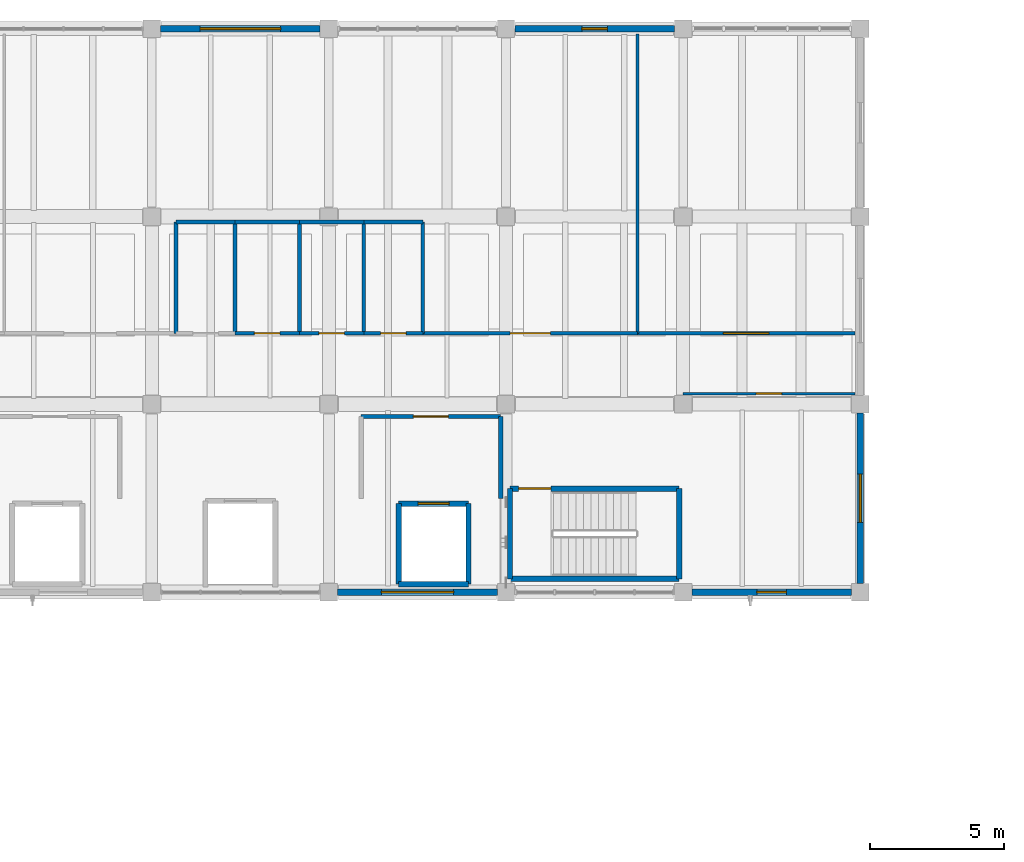
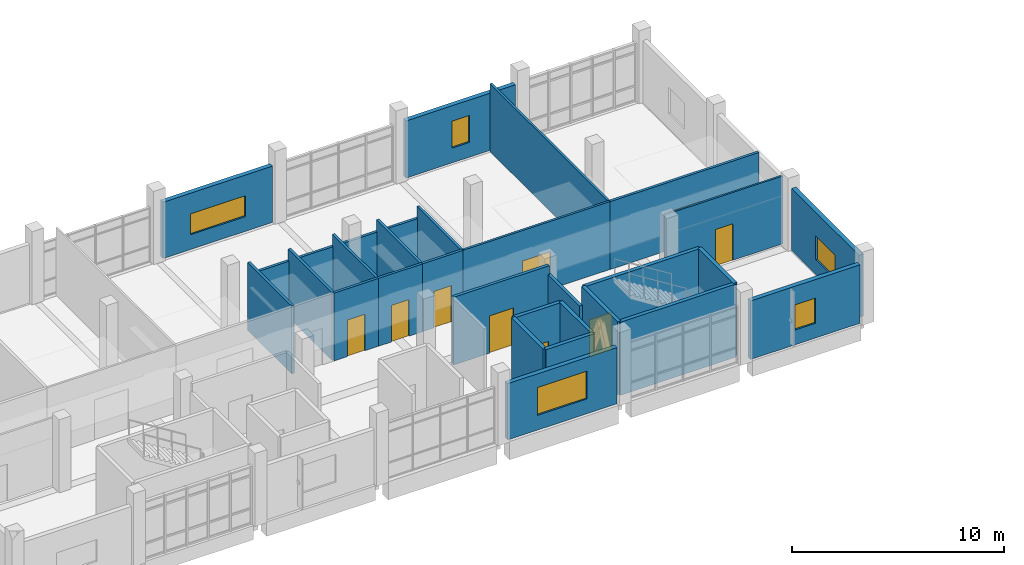
# One storey, part 12 of 16: 31 walls, 9 doors, 5 windows, 14 openings.
"""IFC4 building model written with IfcOpenShell, lengths in metres."""

from ifc_helpers import new_model, si_unit, direction, frame, frame_2d, origin, place, context, subcontext, project, spatial, rectangle, extrude, material, layer, layer_set, type_object, element, fill, save


model = new_model("IFC4")

# Units and contexts
model_context = context("Model", 3, precision=1e-05, world=origin(), true_north=direction((0.0, 1.0)))
body_context = subcontext(model_context, "Body", "Model", "MODEL_VIEW")
ifc_project = project(units=[si_unit("LENGTHUNIT", "METRE"), si_unit("AREAUNIT", "SQUARE_METRE"), si_unit("VOLUMEUNIT", "CUBIC_METRE"), si_unit("PLANEANGLEUNIT", "RADIAN"), si_unit("MASSUNIT", "GRAM", prefix="KILO")], contexts=[model_context])

# Site, building, storey
site_placement = place(None, origin())
site = spatial("IfcSite", under=ifc_project, at=site_placement, CompositionType="ELEMENT")
building_placement = place(site_placement, origin())
building = spatial("IfcBuilding", under=site, at=building_placement, Name="Ciguamira Faculty of Natural Sciences", CompositionType="ELEMENT")
storey_placement = place(building_placement, frame((0.0, 0.0, 25.199951171875)))
storey = spatial("IfcBuildingStorey", under=building, at=storey_placement, Name="L06", CompositionType="ELEMENT", Elevation=25.199951171875)

# Wall, opening, window
ifc_material_1 = material(Name="Precast concrete C40/50", Category="concrete")
ifc_layer_1 = layer(ifc_material_1, 0.239990234375, Name="Precast concrete C40/50")
ifc_layer_set_1 = layer_set([ifc_layer_1], Name="Precast concrete C40/50")
wall_type_1 = type_object("IfcWallType", Name="ExtWall_EW-02_240", PredefinedType="SOLIDWALL", material=ifc_layer_set_1)
wall_1_placement = place(storey_placement, frame((90.625, 94.0, 0.0), z_axis=(0.0, 0.0, 1.0), x_axis=(1.0, 0.0, 0.0)))
wall_1 = element("IfcWall", 1, at=wall_1_placement, inside=storey, type_object=wall_type_1, Name="L06 exterior wall 0350", PredefinedType="SOLIDWALL", context=body_context, shape_type="SweptSolid", body=[
    extrude(rectangle(XDim=5.949951171875, YDim=0.239990234375, at=frame_2d((2.97509765625, 0.0))), origin(), (0.0, 0.0, 1.0), 3.235107421875),
])
opening_1_placement = place(wall_1_placement, frame((1.625, 0.0, 0.85009765625)))
opening_1 = element("IfcOpeningElement", 2, at=opening_1_placement, cuts=wall_1, Name="Opening WT-24", PredefinedType="OPENING", context=body_context, shape_type="SweptSolid", body=[
    extrude(rectangle(XDim=2.699951171875, YDim=1.60009765625, at=frame_2d((1.35009765625, 0.800048828125))), frame((0.0, 0.1298828125, 0.0), z_axis=(0.0, -1.0, 0.0), x_axis=(1.0, 0.0, 0.0)), (0.0, 0.0, 1.0), 0.260009765625),
])
ifc_material_2 = material(Name="Hurricane laminated solar glass", Category="glass")
window_type_1 = type_object("IfcWindowType", Name="Window_WT-24_2700x1600", PartitioningType="DOUBLE_PANEL_VERTICAL", PredefinedType="WINDOW", material=ifc_material_2)
window_1_placement = place(opening_1_placement, origin())
window_1 = element("IfcWindow", 3, at=window_1_placement, inside=storey, type_object=window_type_1, Name="L06 facade window 0239", OverallHeight=1.60009765625, OverallWidth=2.699951171875, PartitioningType="SINGLE_PANEL", PredefinedType="WINDOW", context=body_context, shape_type="SweptSolid", body=[
    extrude(rectangle(XDim=2.699951171875, YDim=1.60009765625, at=frame_2d((1.35009765625, 0.800048828125))), frame((0.0, 0.030029296875, 0.0), z_axis=(0.0, -1.0, 0.0), x_axis=(1.0, 0.0, 0.0)), (0.0, 0.0, 1.0), 0.06005859375),
])
fill(opening_1, window_1)

wall_2_placement = place(storey_placement, frame((103.824951171875, 94.0, 0.0), z_axis=(0.0, 0.0, 1.0), x_axis=(1.0, 0.0, 0.0)))
wall_2 = element("IfcWall", 4, at=wall_2_placement, inside=storey, type_object=wall_type_1, Name="L06 exterior wall 0351", PredefinedType="SOLIDWALL", context=body_context, shape_type="SweptSolid", body=[
    extrude(rectangle(XDim=5.949951171875, YDim=0.239990234375, at=frame_2d((2.97509765625, 0.0))), origin(), (0.0, 0.0, 1.0), 3.364990234375),
])
opening_2_placement = place(wall_2_placement, frame((2.425048828125, 0.0, 0.85009765625)))
opening_2 = element("IfcOpeningElement", 5, at=opening_2_placement, cuts=wall_2, Name="Opening WT-27", PredefinedType="OPENING", context=body_context, shape_type="SweptSolid", body=[
    extrude(rectangle(XDim=1.10009765625, YDim=1.449951171875, at=frame_2d((0.550048828125, 0.72509765625))), frame((0.0, 0.1298828125, 0.0), z_axis=(0.0, -1.0, 0.0), x_axis=(1.0, 0.0, 0.0)), (0.0, 0.0, 1.0), 0.260009765625),
])
window_type_2 = type_object("IfcWindowType", Name="Window_WT-27_1100x1450", PartitioningType="DOUBLE_PANEL_VERTICAL", PredefinedType="WINDOW", material=ifc_material_2)
window_2_placement = place(opening_2_placement, origin())
window_2 = element("IfcWindow", 6, at=window_2_placement, inside=storey, type_object=window_type_2, Name="L06 facade window 0240", OverallHeight=1.449951171875, OverallWidth=1.10009765625, PartitioningType="SINGLE_PANEL", PredefinedType="WINDOW", context=body_context, shape_type="SweptSolid", body=[
    extrude(rectangle(XDim=1.10009765625, YDim=1.449951171875, at=frame_2d((0.550048828125, 0.72509765625))), frame((0.0, 0.030029296875, 0.0), z_axis=(0.0, -1.0, 0.0), x_axis=(1.0, 0.0, 0.0)), (0.0, 0.0, 1.0), 0.06005859375),
])
fill(opening_2, window_2)

wall_3_placement = place(storey_placement, frame((84.02490234375, 115.0, 0.0), z_axis=(0.0, 0.0, 1.0), x_axis=(1.0, 0.0, 0.0)))
wall_3 = element("IfcWall", 7, at=wall_3_placement, inside=storey, type_object=wall_type_1, Name="L06 exterior wall 0353", PredefinedType="SOLIDWALL", context=body_context, shape_type="SweptSolid", body=[
    extrude(rectangle(XDim=5.9501953125, YDim=0.239990234375, at=frame_2d((2.97509765625, 0.0))), origin(), (0.0, 0.0, 1.0), 3.235107421875),
])
opening_3_placement = place(wall_3_placement, frame((1.47509765625, 0.0, 0.85009765625)))
opening_3 = element("IfcOpeningElement", 8, at=opening_3_placement, cuts=wall_3, Name="Opening WT-33", PredefinedType="OPENING", context=body_context, shape_type="SweptSolid", body=[
    extrude(rectangle(XDim=3.0, YDim=1.199951171875, at=frame_2d((1.5, 0.60009765625))), frame((0.0, 0.1298828125, 0.0), z_axis=(0.0, -1.0, 0.0), x_axis=(1.0, 0.0, 0.0)), (0.0, 0.0, 1.0), 0.260009765625),
])
window_type_3 = type_object("IfcWindowType", Name="Window_WT-33_3000x1200", PartitioningType="DOUBLE_PANEL_VERTICAL", PredefinedType="WINDOW", material=ifc_material_2)
window_3_placement = place(opening_3_placement, origin())
window_3 = element("IfcWindow", 9, at=window_3_placement, inside=storey, type_object=window_type_3, Name="L06 facade window 0242", OverallHeight=1.199951171875, OverallWidth=3.0, PartitioningType="SINGLE_PANEL", PredefinedType="WINDOW", context=body_context, shape_type="SweptSolid", body=[
    extrude(rectangle(XDim=3.0, YDim=1.199951171875, at=frame_2d((1.5, 0.60009765625))), frame((0.0, 0.030029296875, 0.0), z_axis=(0.0, -1.0, 0.0), x_axis=(1.0, 0.0, 0.0)), (0.0, 0.0, 1.0), 0.06005859375),
])
fill(opening_3, window_3)

wall_4_placement = place(storey_placement, frame((97.22509765625, 115.0, 0.0), z_axis=(0.0, 0.0, 1.0), x_axis=(1.0, 0.0, 0.0)))
wall_4 = element("IfcWall", 10, at=wall_4_placement, inside=storey, type_object=wall_type_1, Name="L06 exterior wall 0354", PredefinedType="SOLIDWALL", context=body_context, shape_type="SweptSolid", body=[
    extrude(rectangle(XDim=5.949951171875, YDim=0.239990234375, at=frame_2d((2.97509765625, 0.0))), origin(), (0.0, 0.0, 1.0), 3.28515625),
])
opening_4_placement = place(wall_4_placement, frame((2.5, 0.0, 0.85009765625)))
opening_4 = element("IfcOpeningElement", 11, at=opening_4_placement, cuts=wall_4, Name="Opening WT-36", PredefinedType="OPENING", context=body_context, shape_type="SweptSolid", body=[
    extrude(rectangle(XDim=0.949951171875, YDim=1.550048828125, at=frame_2d((0.47509765625, 0.77490234375))), frame((0.0, 0.1298828125, 0.0), z_axis=(0.0, -1.0, 0.0), x_axis=(1.0, 0.0, 0.0)), (0.0, 0.0, 1.0), 0.260009765625),
])
window_type_4 = type_object("IfcWindowType", Name="Window_WT-36_950x1550", PartitioningType="DOUBLE_PANEL_VERTICAL", PredefinedType="WINDOW", material=ifc_material_2)
window_4_placement = place(opening_4_placement, origin())
window_4 = element("IfcWindow", 12, at=window_4_placement, inside=storey, type_object=window_type_4, Name="L06 facade window 0243", OverallHeight=1.550048828125, OverallWidth=0.949951171875, PartitioningType="SINGLE_PANEL", PredefinedType="WINDOW", context=body_context, shape_type="SweptSolid", body=[
    extrude(rectangle(XDim=0.949951171875, YDim=1.550048828125, at=frame_2d((0.47509765625, 0.77490234375))), frame((0.0, 0.030029296875, 0.0), z_axis=(0.0, -1.0, 0.0), x_axis=(1.0, 0.0, 0.0)), (0.0, 0.0, 1.0), 0.06005859375),
])
fill(opening_4, window_4)

wall_5_placement = place(storey_placement, frame((110.10009765625, 94.324951171875, 0.0), z_axis=(0.0, 0.0, 1.0), x_axis=(0.0, 1.0, 0.0)))
wall_5 = element("IfcWall", 13, at=wall_5_placement, inside=storey, type_object=wall_type_1, Name="L06 exterior wall 0358", PredefinedType="SOLIDWALL", context=body_context, shape_type="SweptSolid", body=[
    extrude(rectangle(XDim=6.35009765625, YDim=0.239990234375, at=frame_2d((3.175048828125, 0.0))), origin(), (0.0, 0.0, 1.0), 3.56494140625),
])
opening_5_placement = place(wall_5_placement, frame((2.27490234375, 0.0, 0.85009765625)))
opening_5 = element("IfcOpeningElement", 14, at=opening_5_placement, cuts=wall_5, Name="Opening WT-05", PredefinedType="OPENING", context=body_context, shape_type="SweptSolid", body=[
    extrude(rectangle(XDim=1.800048828125, YDim=1.35009765625, at=frame_2d((0.89990234375, 0.675048828125))), frame((0.0, 0.1298828125, 0.0), z_axis=(0.0, -1.0, 0.0), x_axis=(1.0, 0.0, 0.0)), (0.0, 0.0, 1.0), 0.260009765625),
])
window_type_5 = type_object("IfcWindowType", Name="Window_WT-05_1800x1350", PartitioningType="DOUBLE_PANEL_VERTICAL", PredefinedType="WINDOW", material=ifc_material_2)
window_5_placement = place(opening_5_placement, origin())
window_5 = element("IfcWindow", 15, at=window_5_placement, inside=storey, type_object=window_type_5, Name="L06 facade window 0247", OverallHeight=1.35009765625, OverallWidth=1.800048828125, PartitioningType="SINGLE_PANEL", PredefinedType="WINDOW", context=body_context, shape_type="SweptSolid", body=[
    extrude(rectangle(XDim=1.800048828125, YDim=1.35009765625, at=frame_2d((0.89990234375, 0.675048828125))), frame((0.0, 0.030029296875, 0.0), z_axis=(0.0, -1.0, 0.0), x_axis=(1.0, 0.0, 0.0)), (0.0, 0.0, 1.0), 0.06005859375),
])
fill(opening_5, window_5)

# Wall
ifc_material_3 = material(Name="Concrete C40/50", Category="concrete")
ifc_layer_2 = layer(ifc_material_3, 0.199951171875, Name="Concrete C40/50")
ifc_layer_set_2 = layer_set([ifc_layer_2], Name="Concrete C40/50")
wall_type_2 = type_object("IfcWallType", Name="IntWall_CW-S20_200", PredefinedType="SHEAR", material=ifc_layer_set_2)
wall_6_placement = place(storey_placement, frame((97.050048828125, 94.5, 0.0), z_axis=(0.0, 0.0, 1.0), x_axis=(1.0, 0.0, 0.0)))
element("IfcWall", 16, at=wall_6_placement, inside=storey, type_object=wall_type_2, Name="L06 ST-T2 core shear wall south", PredefinedType="SHEAR", context=body_context, shape_type="SweptSolid", body=[
    extrude(rectangle(XDim=6.300048828125, YDim=0.199951171875, at=frame_2d((3.14990234375, 0.0))), origin(), (0.0, 0.0, 1.0), 4.199951171875),
])

# Wall, opening, door
wall_7_placement = place(storey_placement, frame((97.050048828125, 97.860107421875, 0.0), z_axis=(0.0, 0.0, 1.0), x_axis=(1.0, 0.0, 0.0)))
wall_7 = element("IfcWall", 17, at=wall_7_placement, inside=storey, type_object=wall_type_2, Name="L06 ST-T2 core shear wall north", PredefinedType="SHEAR", context=body_context, shape_type="SweptSolid", body=[
    extrude(rectangle(XDim=6.300048828125, YDim=0.199951171875, at=frame_2d((3.14990234375, 0.0))), origin(), (0.0, 0.0, 1.0), 4.199951171875),
])
opening_6_placement = place(wall_7_placement, frame((0.320068359375, 0.0, 0.0)))
opening_6 = element("IfcOpeningElement", 18, at=opening_6_placement, cuts=wall_7, Name="Opening ID-14", PredefinedType="OPENING", context=body_context, shape_type="SweptSolid", body=[
    extrude(rectangle(XDim=1.199951171875, YDim=2.14990234375, at=frame_2d((0.60009765625, 1.074951171875))), frame((0.0, 0.10986328125, 0.0), z_axis=(0.0, -1.0, 0.0), x_axis=(1.0, 0.0, 0.0)), (0.0, 0.0, 1.0), 0.219970703125),
])
ifc_material_4 = material(Name="Protected exit stair fire door")
door_type_1 = type_object("IfcDoorType", Name="IntDoor_ID-14_1200x2150", OperationType="NOTDEFINED", PredefinedType="DOOR", material=ifc_material_4)
door_1_placement = place(opening_6_placement, frame((1.199951171875, 0.0, 0.0), z_axis=(0.0, 0.0, 1.0), x_axis=(-1.0, 0.0, 0.0)))
door_1 = element("IfcDoor", 19, at=door_1_placement, inside=storey, type_object=door_type_1, Name="L06 ST-T2 exit stair fire door", OperationType="SINGLE_SWING_LEFT", OverallHeight=2.14990234375, OverallWidth=1.199951171875, PredefinedType="DOOR", context=body_context, shape_type="SweptSolid", body=[
    extrude(rectangle(XDim=1.199951171875, YDim=2.14990234375, at=frame_2d((0.60009765625, 1.074951171875))), frame((0.0, 0.02490234375, 0.0), z_axis=(0.0, -1.0, 0.0), x_axis=(1.0, 0.0, 0.0)), (0.0, 0.0, 1.0), 0.050048828125),
])
fill(opening_6, door_1)

# Walls
for number, where, z_axis, x_axis, name in (
    (20, (97.050048828125, 94.5, 0.0), (0.0, 0.0, 1.0), (0.0, 1.0, 0.0), "L06 ST-T2 core shear wall west"),
    (21, (103.35009765625, 94.5, 0.0), (0.0, 0.0, 1.0), (0.0, 1.0, 0.0), "L06 ST-T2 core shear wall east"),
):
    element("IfcWall", number, at=place(storey_placement, frame(where, z_axis=z_axis, x_axis=x_axis)), inside=storey, type_object=wall_type_2, Name=name, PredefinedType="SHEAR", context=body_context, shape_type="SweptSolid", body=[
        extrude(rectangle(XDim=3.360107421875, YDim=0.199951171875, at=frame_2d((1.68017578125, 0.0))), origin(), (0.0, 0.0, 1.0), 4.199951171875),
    ])
wall_8_placement = place(storey_placement, frame((92.89990234375, 94.300048828125, 0.0), z_axis=(0.0, 0.0, 1.0), x_axis=(1.0, 0.0, 0.0)))
element("IfcWall", 22, at=wall_8_placement, inside=storey, type_object=wall_type_2, Name="L06 EL-FF2 hoistway wall south", PredefinedType="SHEAR", context=body_context, shape_type="SweptSolid", body=[
    extrude(rectangle(XDim=2.60009765625, YDim=0.199951171875, at=frame_2d((1.300048828125, 0.0))), origin(), (0.0, 0.0, 1.0), 4.199951171875),
])

# Wall, opening, door
wall_9_placement = place(storey_placement, frame((92.89990234375, 97.300048828125, 0.0), z_axis=(0.0, 0.0, 1.0), x_axis=(1.0, 0.0, 0.0)))
wall_9 = element("IfcWall", 23, at=wall_9_placement, inside=storey, type_object=wall_type_2, Name="L06 EL-FF2 hoistway wall north", PredefinedType="SHEAR", context=body_context, shape_type="SweptSolid", body=[
    extrude(rectangle(XDim=2.60009765625, YDim=0.199951171875, at=frame_2d((1.300048828125, 0.0))), origin(), (0.0, 0.0, 1.0), 4.199951171875),
])
opening_7_placement = place(wall_9_placement, frame((0.72509765625, 0.0, 0.0)))
opening_7 = element("IfcOpeningElement", 24, at=opening_7_placement, cuts=wall_9, Name="Opening LD-03", PredefinedType="OPENING", context=body_context, shape_type="SweptSolid", body=[
    extrude(rectangle(XDim=1.14990234375, YDim=2.199951171875, at=frame_2d((0.574951171875, 1.10009765625))), frame((0.0, 0.10986328125, 0.0), z_axis=(0.0, -1.0, 0.0), x_axis=(1.0, 0.0, 0.0)), (0.0, 0.0, 1.0), 0.219970703125),
])
ifc_material_5 = material(Name="Firefighting lift sliding landing door")
door_type_2 = type_object("IfcDoorType", Name="LiftLandingDoor_LD-03_1150x2200", OperationType="SLIDING_TO_LEFT", PredefinedType="DOOR", material=ifc_material_5)
door_2_placement = place(opening_7_placement, origin())
door_2 = element("IfcDoor", 25, at=door_2_placement, inside=storey, type_object=door_type_2, Name="L06 EL-FF2 elevator landing sliding door", OperationType="SLIDING_TO_LEFT", OverallHeight=2.199951171875, OverallWidth=1.14990234375, PredefinedType="DOOR", context=body_context, shape_type="SweptSolid", body=[
    extrude(rectangle(XDim=1.14990234375, YDim=2.199951171875, at=frame_2d((0.574951171875, 1.10009765625))), frame((0.0, 0.02490234375, 0.0), z_axis=(0.0, -1.0, 0.0), x_axis=(1.0, 0.0, 0.0)), (0.0, 0.0, 1.0), 0.050048828125),
])
fill(opening_7, door_2)

# Walls
for number, where, z_axis, x_axis, name in (
    (26, (92.89990234375, 94.300048828125, 0.0), (0.0, 0.0, 1.0), (0.0, 1.0, 0.0), "L06 EL-FF2 hoistway wall west"),
    (27, (95.5, 94.300048828125, 0.0), (0.0, 0.0, 1.0), (0.0, 1.0, 0.0), "L06 EL-FF2 hoistway wall east"),
):
    element("IfcWall", number, at=place(storey_placement, frame(where, z_axis=z_axis, x_axis=x_axis)), inside=storey, type_object=wall_type_2, Name=name, PredefinedType="SHEAR", context=body_context, shape_type="SweptSolid", body=[
        extrude(rectangle(XDim=3.0, YDim=0.199951171875, at=frame_2d((1.5, 0.0))), origin(), (0.0, 0.0, 1.0), 4.199951171875),
    ])

# Wall, opening, door
ifc_material_6 = material(Name="Fire-rated gypsum partition")
ifc_layer_3 = layer(ifc_material_6, 0.10009765625, Name="Fire-rated gypsum partition")
ifc_layer_set_3 = layer_set([ifc_layer_3], Name="Fire-rated gypsum partition")
wall_type_3 = type_object("IfcWallType", Name="IntWall_IW-A10_100", PredefinedType="PARTITIONING", material=ifc_layer_set_3)
wall_10_placement = place(storey_placement, frame((103.5, 101.39990234375, 0.0), z_axis=(0.0, 0.0, 1.0), x_axis=(1.0, 0.0, 0.0)))
wall_10 = element("IfcWall", 28, at=wall_10_placement, inside=storey, type_object=wall_type_3, Name="L06 Doctoral Researchers Office East partition north", PredefinedType="PARTITIONING", context=body_context, shape_type="SweptSolid", body=[
    extrude(rectangle(XDim=6.39990234375, YDim=0.10009765625, at=frame_2d((3.199951171875, 0.0))), origin(), (0.0, 0.0, 1.0), 3.900146484375),
])
opening_8_placement = place(wall_10_placement, frame((2.72509765625, 0.0, 0.0)))
opening_8 = element("IfcOpeningElement", 29, at=opening_8_placement, cuts=wall_10, Name="Opening ID-02", PredefinedType="OPENING", context=body_context, shape_type="SweptSolid", body=[
    extrude(rectangle(XDim=0.949951171875, YDim=2.10009765625, at=frame_2d((0.47509765625, 1.050048828125))), frame((0.0, 0.06005859375, 0.0), z_axis=(0.0, -1.0, 0.0), x_axis=(1.0, 0.0, 0.0)), (0.0, 0.0, 1.0), 0.1201171875),
])
ifc_material_7 = material(Name="Accessible WC outward-clear door")
door_type_3 = type_object("IfcDoorType", Name="IntDoor_ID-02_950x2100", OperationType="NOTDEFINED", PredefinedType="DOOR", material=ifc_material_7)
door_3_placement = place(opening_8_placement, frame((0.949951171875, 0.0, 0.0), z_axis=(0.0, 0.0, 1.0), x_axis=(-1.0, 0.0, 0.0)))
door_3 = element("IfcDoor", 30, at=door_3_placement, inside=storey, type_object=door_type_3, Name="L06 Doctoral Researchers Office East door", OperationType="SINGLE_SWING_LEFT", OverallHeight=2.10009765625, OverallWidth=0.949951171875, PredefinedType="DOOR", context=body_context, shape_type="SweptSolid", body=[
    extrude(rectangle(XDim=0.949951171875, YDim=2.10009765625, at=frame_2d((0.47509765625, 1.050048828125))), frame((0.0, 0.02490234375, 0.0), z_axis=(0.0, -1.0, 0.0), x_axis=(1.0, 0.0, 0.0)), (0.0, 0.0, 1.0), 0.050048828125),
])
fill(opening_8, door_3)

ifc_material_8 = material(Name="Acoustic double-stud gypsum partition")
ifc_layer_4 = layer(ifc_material_8, 0.1201171875, Name="Acoustic double-stud gypsum partition")
ifc_layer_set_4 = layer_set([ifc_layer_4], Name="Acoustic double-stud gypsum partition")
wall_type_4 = type_object("IfcWallType", Name="IntWall_IW-A12_120", PredefinedType="PARTITIONING", material=ifc_layer_set_4)
wall_11_placement = place(storey_placement, frame((93.800048828125, 103.64990234375, 0.0), z_axis=(0.0, 0.0, 1.0), x_axis=(1.0, 0.0, 0.0)))
wall_11 = element("IfcWall", 31, at=wall_11_placement, inside=storey, type_object=wall_type_4, Name="L06 Graduate Theory Seminar Room partition south", PredefinedType="PARTITIONING", context=body_context, shape_type="SweptSolid", body=[
    extrude(rectangle(XDim=8.0, YDim=0.1201171875, at=frame_2d((4.0, 0.0))), origin(), (0.0, 0.0, 1.0), 3.900146484375),
])
opening_9_placement = place(wall_11_placement, frame((3.25, 0.0, 0.0)))
opening_9 = element("IfcOpeningElement", 32, at=opening_9_placement, cuts=wall_11, Name="Opening ID-17", PredefinedType="OPENING", context=body_context, shape_type="SweptSolid", body=[
    extrude(rectangle(XDim=1.5, YDim=2.14990234375, at=frame_2d((0.75, 1.074951171875))), frame((0.0, 0.070068359375, 0.0), z_axis=(0.0, -1.0, 0.0), x_axis=(1.0, 0.0, 0.0)), (0.0, 0.0, 1.0), 0.14013671875),
])
ifc_material_9 = material(Name="Plant room double steel door", Category="steel")
door_type_4 = type_object("IfcDoorType", Name="IntDoor_ID-17_1500x2150", OperationType="NOTDEFINED", PredefinedType="DOOR", material=ifc_material_9)
door_4_placement = place(opening_9_placement, origin())
door_4 = element("IfcDoor", 33, at=door_4_placement, inside=storey, type_object=door_type_4, Name="L06 Graduate Theory Seminar Room door", OperationType="SINGLE_SWING_RIGHT", OverallHeight=2.14990234375, OverallWidth=1.5, PredefinedType="DOOR", context=body_context, shape_type="SweptSolid", body=[
    extrude(rectangle(XDim=1.5, YDim=2.14990234375, at=frame_2d((0.75, 1.074951171875))), frame((0.0, 0.02490234375, 0.0), z_axis=(0.0, -1.0, 0.0), x_axis=(1.0, 0.0, 0.0)), (0.0, 0.0, 1.0), 0.050048828125),
])
fill(opening_9, door_4)

# Wall
wall_12_placement = place(storey_placement, frame((101.800048828125, 103.64990234375, 0.0), z_axis=(0.0, 0.0, 1.0), x_axis=(0.0, 1.0, 0.0)))
element("IfcWall", 34, at=wall_12_placement, inside=storey, type_object=wall_type_4, Name="L06 Graduate Theory Seminar Room partition east", PredefinedType="PARTITIONING", context=body_context, shape_type="SweptSolid", body=[
    extrude(rectangle(XDim=11.150146484375, YDim=0.1201171875, at=frame_2d((5.5751953125, 0.0))), origin(), (0.0, 0.0, 1.0), 3.900146484375),
])

# Wall, opening, door
ifc_material_10 = material(Name="Fire-rated blockwork wall", Category="masonry")
ifc_layer_5 = layer(ifc_material_10, 0.159912109375, Name="Fire-rated blockwork wall")
ifc_layer_set_5 = layer_set([ifc_layer_5], Name="Fire-rated blockwork wall")
wall_type_5 = type_object("IfcWallType", Name="IntWall_IW-F16_160", PredefinedType="SOLIDWALL", material=ifc_layer_set_5)
wall_13_placement = place(storey_placement, frame((91.5, 100.550048828125, 0.0), z_axis=(0.0, 0.0, 1.0), x_axis=(1.0, 0.0, 0.0)))
wall_13 = element("IfcWall", 35, at=wall_13_placement, inside=storey, type_object=wall_type_5, Name="L06 Firefighting Lift Lobby 2 partition north", PredefinedType="SOLIDWALL", context=body_context, shape_type="SweptSolid", body=[
    extrude(rectangle(XDim=5.199951171875, YDim=0.159912109375, at=frame_2d((2.60009765625, 0.0))), origin(), (0.0, 0.0, 1.0), 3.900146484375),
])
opening_10_placement = place(wall_13_placement, frame((1.949951171875, 0.0, 0.0)))
opening_10 = element("IfcOpeningElement", 36, at=opening_10_placement, cuts=wall_13, Name="Opening ID-15", PredefinedType="OPENING", context=body_context, shape_type="SweptSolid", body=[
    extrude(rectangle(XDim=1.300048828125, YDim=2.14990234375, at=frame_2d((0.64990234375, 1.074951171875))), frame((0.0, 0.08984375, 0.0), z_axis=(0.0, -1.0, 0.0), x_axis=(1.0, 0.0, 0.0)), (0.0, 0.0, 1.0), 0.179931640625),
])
ifc_material_11 = material(Name="Firefighting lift lobby fire door")
door_type_5 = type_object("IfcDoorType", Name="IntDoor_ID-15_1300x2150", OperationType="NOTDEFINED", PredefinedType="DOOR", material=ifc_material_11)
door_5_placement = place(opening_10_placement, frame((1.300048828125, 0.0, 0.0), z_axis=(0.0, 0.0, 1.0), x_axis=(-1.0, 0.0, 0.0)))
door_5 = element("IfcDoor", 37, at=door_5_placement, inside=storey, type_object=door_type_5, Name="L06 Firefighting Lift Lobby 2 door", OperationType="SINGLE_SWING_RIGHT", OverallHeight=2.14990234375, OverallWidth=1.300048828125, PredefinedType="DOOR", context=body_context, shape_type="SweptSolid", body=[
    extrude(rectangle(XDim=1.300048828125, YDim=2.14990234375, at=frame_2d((0.64990234375, 1.074951171875))), frame((0.0, 0.02490234375, 0.0), z_axis=(0.0, -1.0, 0.0), x_axis=(1.0, 0.0, 0.0)), (0.0, 0.0, 1.0), 0.050048828125),
])
fill(opening_10, door_5)

# Walls
wall_14_placement = place(storey_placement, frame((96.699951171875, 97.5, 0.0), z_axis=(0.0, 0.0, 1.0), x_axis=(0.0, 1.0, 0.0)))
element("IfcWall", 38, at=wall_14_placement, inside=storey, type_object=wall_type_5, Name="L06 Firefighting Lift Lobby 2 partition east", PredefinedType="SOLIDWALL", context=body_context, shape_type="SweptSolid", body=[
    extrude(rectangle(XDim=3.050048828125, YDim=0.159912109375, at=frame_2d((1.52490234375, 0.0))), origin(), (0.0, 0.0, 1.0), 3.405029296875),
])
ifc_material_12 = material(Name="Moisture-resistant service chase wall")
ifc_layer_6 = layer(ifc_material_12, 0.139892578125, Name="Moisture-resistant service chase wall")
ifc_layer_set_6 = layer_set([ifc_layer_6], Name="Moisture-resistant service chase wall")
wall_type_6 = type_object("IfcWallType", Name="IntWall_IW-P14_140", PredefinedType="PLUMBINGWALL", material=ifc_layer_set_6)
wall_15_placement = place(storey_placement, frame((84.60009765625, 107.800048828125, 0.0), z_axis=(0.0, 0.0, 1.0), x_axis=(1.0, 0.0, 0.0)))
element("IfcWall", 39, at=wall_15_placement, inside=storey, type_object=wall_type_6, Name="L06 Accessible WC partition north", PredefinedType="PLUMBINGWALL", context=body_context, shape_type="SweptSolid", body=[
    extrude(rectangle(XDim=2.199951171875, YDim=0.139892578125, at=frame_2d((1.10009765625, 0.0))), origin(), (0.0, 0.0, 1.0), 3.235107421875),
])
for number, where, z_axis, x_axis, name in (
    (40, (84.60009765625, 103.64990234375, 0.0), (0.0, 0.0, 1.0), (0.0, 1.0, 0.0), "L06 Accessible WC partition west"),
    (41, (86.800048828125, 103.64990234375, 0.0), (0.0, 0.0, 1.0), (0.0, 1.0, 0.0), "L06 Accessible WC partition east"),
):
    element("IfcWall", number, at=place(storey_placement, frame(where, z_axis=z_axis, x_axis=x_axis)), inside=storey, type_object=wall_type_6, Name=name, PredefinedType="PLUMBINGWALL", context=body_context, shape_type="SweptSolid", body=[
        extrude(rectangle(XDim=4.150146484375, YDim=0.139892578125, at=frame_2d((2.0751953125, 0.0))), origin(), (0.0, 0.0, 1.0), 3.900146484375),
    ])

# Wall, opening, door
wall_16_placement = place(storey_placement, frame((86.800048828125, 103.64990234375, 0.0), z_axis=(0.0, 0.0, 1.0), x_axis=(1.0, 0.0, 0.0)))
wall_16 = element("IfcWall", 42, at=wall_16_placement, inside=storey, type_object=wall_type_6, Name="L06 Public Restroom Female partition south", PredefinedType="PLUMBINGWALL", context=body_context, shape_type="SweptSolid", body=[
    extrude(rectangle(XDim=2.39990234375, YDim=0.139892578125, at=frame_2d((1.199951171875, 0.0))), origin(), (0.0, 0.0, 1.0), 3.900146484375),
])
opening_11_placement = place(wall_16_placement, frame((0.72509765625, 0.0, 0.0)))
opening_11 = element("IfcOpeningElement", 43, at=opening_11_placement, cuts=wall_16, Name="Opening ID-02", PredefinedType="OPENING", context=body_context, shape_type="SweptSolid", body=[
    extrude(rectangle(XDim=0.949951171875, YDim=2.10009765625, at=frame_2d((0.47509765625, 1.050048828125))), frame((0.0, 0.079833984375, 0.0), z_axis=(0.0, -1.0, 0.0), x_axis=(1.0, 0.0, 0.0)), (0.0, 0.0, 1.0), 0.159912109375),
])
door_6_placement = place(opening_11_placement, origin())
door_6 = element("IfcDoor", 44, at=door_6_placement, inside=storey, type_object=door_type_3, Name="L06 Public Restroom Female door", OperationType="SINGLE_SWING_RIGHT", OverallHeight=2.10009765625, OverallWidth=0.949951171875, PredefinedType="DOOR", context=body_context, shape_type="SweptSolid", body=[
    extrude(rectangle(XDim=0.949951171875, YDim=2.10009765625, at=frame_2d((0.47509765625, 1.050048828125))), frame((0.0, 0.02490234375, 0.0), z_axis=(0.0, -1.0, 0.0), x_axis=(1.0, 0.0, 0.0)), (0.0, 0.0, 1.0), 0.050048828125),
])
fill(opening_11, door_6)

# Walls
wall_17_placement = place(storey_placement, frame((86.800048828125, 107.800048828125, 0.0), z_axis=(0.0, 0.0, 1.0), x_axis=(1.0, 0.0, 0.0)))
element("IfcWall", 45, at=wall_17_placement, inside=storey, type_object=wall_type_6, Name="L06 Public Restroom Female partition north", PredefinedType="PLUMBINGWALL", context=body_context, shape_type="SweptSolid", body=[
    extrude(rectangle(XDim=2.39990234375, YDim=0.139892578125, at=frame_2d((1.199951171875, 0.0))), origin(), (0.0, 0.0, 1.0), 3.235107421875),
])
wall_18_placement = place(storey_placement, frame((89.199951171875, 103.64990234375, 0.0), z_axis=(0.0, 0.0, 1.0), x_axis=(0.0, 1.0, 0.0)))
element("IfcWall", 46, at=wall_18_placement, inside=storey, type_object=wall_type_6, Name="L06 Public Restroom Female partition east", PredefinedType="PLUMBINGWALL", context=body_context, shape_type="SweptSolid", body=[
    extrude(rectangle(XDim=4.150146484375, YDim=0.139892578125, at=frame_2d((2.0751953125, 0.0))), origin(), (0.0, 0.0, 1.0), 3.900146484375),
])

# Wall, opening, door
wall_19_placement = place(storey_placement, frame((89.199951171875, 103.64990234375, 0.0), z_axis=(0.0, 0.0, 1.0), x_axis=(1.0, 0.0, 0.0)))
wall_19 = element("IfcWall", 47, at=wall_19_placement, inside=storey, type_object=wall_type_6, Name="L06 Public Restroom Male partition south", PredefinedType="PLUMBINGWALL", context=body_context, shape_type="SweptSolid", body=[
    extrude(rectangle(XDim=2.400146484375, YDim=0.139892578125, at=frame_2d((1.2001953125, 0.0))), origin(), (0.0, 0.0, 1.0), 3.900146484375),
])
opening_12_placement = place(wall_19_placement, frame((0.72509765625, 0.0, 0.0)))
opening_12 = element("IfcOpeningElement", 48, at=opening_12_placement, cuts=wall_19, Name="Opening ID-02", PredefinedType="OPENING", context=body_context, shape_type="SweptSolid", body=[
    extrude(rectangle(XDim=0.949951171875, YDim=2.10009765625, at=frame_2d((0.47509765625, 1.050048828125))), frame((0.0, 0.079833984375, 0.0), z_axis=(0.0, -1.0, 0.0), x_axis=(1.0, 0.0, 0.0)), (0.0, 0.0, 1.0), 0.159912109375),
])
door_7_placement = place(opening_12_placement, origin())
door_7 = element("IfcDoor", 49, at=door_7_placement, inside=storey, type_object=door_type_3, Name="L06 Public Restroom Male door", OperationType="SINGLE_SWING_LEFT", OverallHeight=2.10009765625, OverallWidth=0.949951171875, PredefinedType="DOOR", context=body_context, shape_type="SweptSolid", body=[
    extrude(rectangle(XDim=0.949951171875, YDim=2.10009765625, at=frame_2d((0.47509765625, 1.050048828125))), frame((0.0, 0.02490234375, 0.0), z_axis=(0.0, -1.0, 0.0), x_axis=(1.0, 0.0, 0.0)), (0.0, 0.0, 1.0), 0.050048828125),
])
fill(opening_12, door_7)

# Walls
wall_20_placement = place(storey_placement, frame((89.199951171875, 107.800048828125, 0.0), z_axis=(0.0, 0.0, 1.0), x_axis=(1.0, 0.0, 0.0)))
element("IfcWall", 50, at=wall_20_placement, inside=storey, type_object=wall_type_6, Name="L06 Public Restroom Male partition north", PredefinedType="PLUMBINGWALL", context=body_context, shape_type="SweptSolid", body=[
    extrude(rectangle(XDim=2.400146484375, YDim=0.139892578125, at=frame_2d((1.2001953125, 0.0))), origin(), (0.0, 0.0, 1.0), 3.235107421875),
])
wall_21_placement = place(storey_placement, frame((91.60009765625, 103.64990234375, 0.0), z_axis=(0.0, 0.0, 1.0), x_axis=(0.0, 1.0, 0.0)))
element("IfcWall", 51, at=wall_21_placement, inside=storey, type_object=wall_type_6, Name="L06 Public Restroom Male partition east", PredefinedType="PLUMBINGWALL", context=body_context, shape_type="SweptSolid", body=[
    extrude(rectangle(XDim=4.150146484375, YDim=0.139892578125, at=frame_2d((2.0751953125, 0.0))), origin(), (0.0, 0.0, 1.0), 3.900146484375),
])

# Wall, opening, door
wall_22_placement = place(storey_placement, frame((91.60009765625, 103.64990234375, 0.0), z_axis=(0.0, 0.0, 1.0), x_axis=(1.0, 0.0, 0.0)))
wall_22 = element("IfcWall", 52, at=wall_22_placement, inside=storey, type_object=wall_type_6, Name="L06 Staff Restroom partition south", PredefinedType="PLUMBINGWALL", context=body_context, shape_type="SweptSolid", body=[
    extrude(rectangle(XDim=2.199951171875, YDim=0.139892578125, at=frame_2d((1.10009765625, 0.0))), origin(), (0.0, 0.0, 1.0), 3.900146484375),
])
opening_13_placement = place(wall_22_placement, frame((0.625, 0.0, 0.0)))
opening_13 = element("IfcOpeningElement", 53, at=opening_13_placement, cuts=wall_22, Name="Opening ID-02", PredefinedType="OPENING", context=body_context, shape_type="SweptSolid", body=[
    extrude(rectangle(XDim=0.949951171875, YDim=2.10009765625, at=frame_2d((0.47509765625, 1.050048828125))), frame((0.0, 0.079833984375, 0.0), z_axis=(0.0, -1.0, 0.0), x_axis=(1.0, 0.0, 0.0)), (0.0, 0.0, 1.0), 0.159912109375),
])
door_8_placement = place(opening_13_placement, origin())
door_8 = element("IfcDoor", 54, at=door_8_placement, inside=storey, type_object=door_type_3, Name="L06 Staff Restroom door", OperationType="SINGLE_SWING_RIGHT", OverallHeight=2.10009765625, OverallWidth=0.949951171875, PredefinedType="DOOR", context=body_context, shape_type="SweptSolid", body=[
    extrude(rectangle(XDim=0.949951171875, YDim=2.10009765625, at=frame_2d((0.47509765625, 1.050048828125))), frame((0.0, 0.02490234375, 0.0), z_axis=(0.0, -1.0, 0.0), x_axis=(1.0, 0.0, 0.0)), (0.0, 0.0, 1.0), 0.050048828125),
])
fill(opening_13, door_8)

# Walls
wall_23_placement = place(storey_placement, frame((91.60009765625, 107.800048828125, 0.0), z_axis=(0.0, 0.0, 1.0), x_axis=(1.0, 0.0, 0.0)))
element("IfcWall", 55, at=wall_23_placement, inside=storey, type_object=wall_type_6, Name="L06 Staff Restroom partition north", PredefinedType="PLUMBINGWALL", context=body_context, shape_type="SweptSolid", body=[
    extrude(rectangle(XDim=2.199951171875, YDim=0.139892578125, at=frame_2d((1.10009765625, 0.0))), origin(), (0.0, 0.0, 1.0), 3.235107421875),
])
wall_24_placement = place(storey_placement, frame((93.800048828125, 103.64990234375, 0.0), z_axis=(0.0, 0.0, 1.0), x_axis=(0.0, 1.0, 0.0)))
element("IfcWall", 56, at=wall_24_placement, inside=storey, type_object=wall_type_6, Name="L06 Staff Restroom partition east", PredefinedType="PLUMBINGWALL", context=body_context, shape_type="SweptSolid", body=[
    extrude(rectangle(XDim=4.150146484375, YDim=0.139892578125, at=frame_2d((2.0751953125, 0.0))), origin(), (0.0, 0.0, 1.0), 3.900146484375),
])

# Wall, opening, door
wall_25_placement = place(storey_placement, frame((101.800048828125, 103.64990234375, 0.0), z_axis=(0.0, 0.0, 1.0), x_axis=(1.0, 0.0, 0.0)))
wall_25 = element("IfcWall", 57, at=wall_25_placement, inside=storey, type_object=wall_type_6, Name="L06 Theoretical Chemistry Staff Offices partition south", PredefinedType="PLUMBINGWALL", context=body_context, shape_type="SweptSolid", body=[
    extrude(rectangle(XDim=8.099853515625, YDim=0.139892578125, at=frame_2d((4.0498046875, 0.0))), origin(), (0.0, 0.0, 1.0), 3.900146484375),
])
opening_14_placement = place(wall_25_placement, frame((3.199951171875, 0.0, 0.0)))
opening_14 = element("IfcOpeningElement", 58, at=opening_14_placement, cuts=wall_25, Name="Opening ID-18", PredefinedType="OPENING", context=body_context, shape_type="SweptSolid", body=[
    extrude(rectangle(XDim=1.699951171875, YDim=2.199951171875, at=frame_2d((0.85009765625, 1.10009765625))), frame((0.0, 0.079833984375, 0.0), z_axis=(0.0, -1.0, 0.0), x_axis=(1.0, 0.0, 0.0)), (0.0, 0.0, 1.0), 0.159912109375),
])
ifc_material_13 = material(Name="Archive vault rated door")
door_type_6 = type_object("IfcDoorType", Name="IntDoor_ID-18_1700x2200", OperationType="NOTDEFINED", PredefinedType="DOOR", material=ifc_material_13)
door_9_placement = place(opening_14_placement, origin())
door_9 = element("IfcDoor", 59, at=door_9_placement, inside=storey, type_object=door_type_6, Name="L06 Theoretical Chemistry Staff Offices door", OperationType="SINGLE_SWING_LEFT", OverallHeight=2.199951171875, OverallWidth=1.699951171875, PredefinedType="DOOR", context=body_context, shape_type="SweptSolid", body=[
    extrude(rectangle(XDim=1.699951171875, YDim=2.199951171875, at=frame_2d((0.85009765625, 1.10009765625))), frame((0.0, 0.02490234375, 0.0), z_axis=(0.0, -1.0, 0.0), x_axis=(1.0, 0.0, 0.0)), (0.0, 0.0, 1.0), 0.050048828125),
])
fill(opening_14, door_9)

save(model, "model.ifc")
